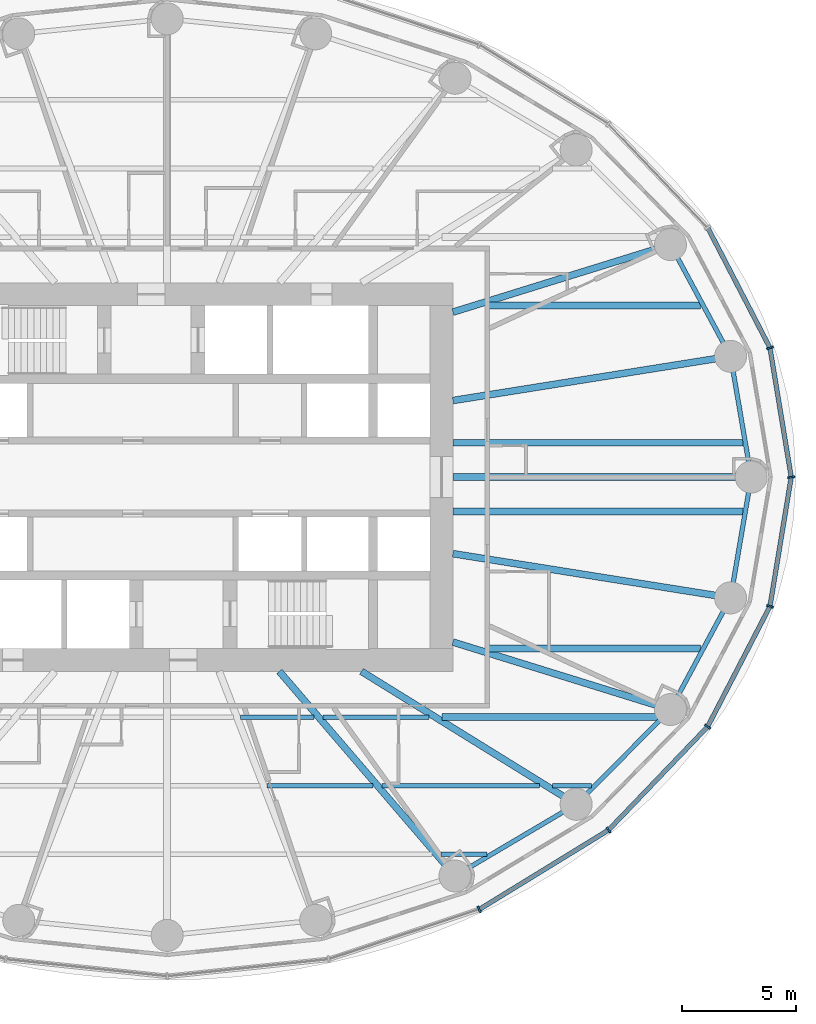
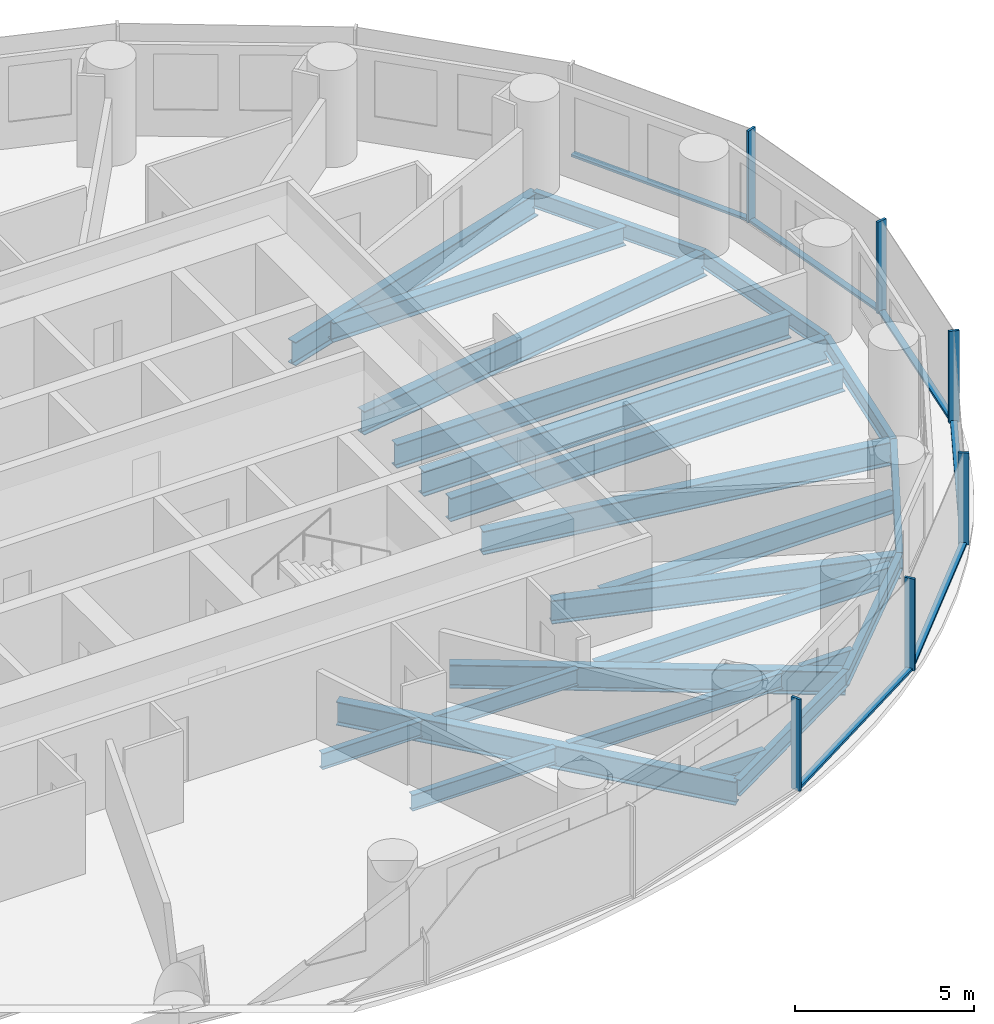
# One storey, part 3 of 13: 24 beams, 12 members, 2 elements without a shape of their own.
"""IFC4 building model written with IfcOpenShell, lengths in metres."""

from ifc_helpers import new_model, si_unit, direction, frame, origin, origin_2d, place, context, subcontext, project, spatial, rectangle, i_section, extrude, material, material_profile, profile_set, type_object, element, aggregate, save


model = new_model("IFC4")

# Units and contexts
model_context = context("Model", 3, precision=1e-05, world=origin(), true_north=direction((0.0, 1.0)))
body_context = subcontext(model_context, "Body", "Model", "MODEL_VIEW")
ifc_project = project(units=[si_unit("LENGTHUNIT", "METRE"), si_unit("AREAUNIT", "SQUARE_METRE"), si_unit("VOLUMEUNIT", "CUBIC_METRE"), si_unit("PLANEANGLEUNIT", "RADIAN"), si_unit("MASSUNIT", "GRAM", prefix="KILO")], contexts=[model_context])

# Site, building, storey
site_placement = place(None, origin())
site = spatial("IfcSite", under=ifc_project, at=site_placement, CompositionType="ELEMENT")
building_placement = place(site_placement, origin())
building = spatial("IfcBuilding", under=site, at=building_placement, Name="Hankou Lantern Tower", CompositionType="ELEMENT")
storey_placement = place(building_placement, frame((0.0, 0.0, 83.699951171875)))
storey = spatial("IfcBuildingStorey", under=building, at=storey_placement, Name="L21", CompositionType="ELEMENT", Elevation=83.699951171875)

# Beams
ifc_material_1 = material(Name="Steel Q355B", Category="steel")
ifc_material_profile_1 = material_profile(ifc_material_1, i_section(OverallWidth=0.199951171875, OverallDepth=0.550048828125, WebThickness=0.010009765625, FlangeThickness=0.01611328125, FilletRadius=0.012939453125, at=origin_2d()), Name="HN550x200x10x16")
ifc_profile_set_1 = profile_set([ifc_material_profile_1], Name="Steel Q355B")
beam_type_1 = type_object("IfcBeamType", Name="EB6 RING BEAM HN550x200x10x16", PredefinedType="SPANDREL", material=ifc_profile_set_1)
beam_1_placement = place(storey_placement, frame((25.550048828125, 0.0, -0.454833984375), z_axis=(-0.168489691988, 0.985703415685, 0.0), x_axis=(-0.985703415685, -0.168489691988, 0.0)))
element("IfcBeam", 1, at=beam_1_placement, inside=storey, type_object=beam_type_1, Name="Ring beam R01-R02 L21", PredefinedType="SPANDREL", context=body_context, shape_type="SweptSolid", body=[
    extrude(i_section(OverallWidth=0.199951171875, OverallDepth=0.550048828125, WebThickness=0.010009765625, FlangeThickness=0.01611328125, FilletRadius=0.012939453125, at=origin_2d()), origin(), (0.0, 0.0, 1.0), 5.35986328125),
])
beam_2_placement = place(storey_placement, frame((24.64697265625, 5.283203125, -0.454833984375), z_axis=(-0.473609096023, 0.880735161194, 0.0), x_axis=(-0.880735161194, -0.473609096023, 0.0)))
element("IfcBeam", 2, at=beam_2_placement, inside=storey, type_object=beam_type_1, Name="Ring beam R02-R03 L21", PredefinedType="SPANDREL", context=body_context, shape_type="SweptSolid", body=[
    extrude(i_section(OverallWidth=0.199951171875, OverallDepth=0.550048828125, WebThickness=0.010009765625, FlangeThickness=0.01611328125, FilletRadius=0.012939453125, at=origin_2d()), origin(), (0.0, 0.0, 1.0), 5.548828125),
])
beam_3_placement = place(storey_placement, frame((12.5908203125, -17.446533203125, -0.454833984375), z_axis=(0.860881533543, 0.508805449268, 0.0), x_axis=(-0.508805449268, 0.860881533543, 0.0)))
element("IfcBeam", 3, at=beam_3_placement, inside=storey, type_object=beam_type_1, Name="Ring beam R21-R22 L21", PredefinedType="SPANDREL", context=body_context, shape_type="SweptSolid", body=[
    extrude(i_section(OverallWidth=0.199951171875, OverallDepth=0.550048828125, WebThickness=0.010009765625, FlangeThickness=0.01611328125, FilletRadius=0.012939453125, at=origin_2d()), origin(), (0.0, 0.0, 1.0), 6.15771484375),
])
beam_4_placement = place(storey_placement, frame((17.891845703125, -14.3134765625, -0.454833984375), z_axis=(0.705727798394, 0.708483079949, 0.0), x_axis=(-0.708483079949, 0.705727798394, 0.0)))
element("IfcBeam", 4, at=beam_4_placement, inside=storey, type_object=beam_type_1, Name="Ring beam R22-R23 L21", PredefinedType="SPANDREL", context=body_context, shape_type="SweptSolid", body=[
    extrude(i_section(OverallWidth=0.199951171875, OverallDepth=0.550048828125, WebThickness=0.010009765625, FlangeThickness=0.01611328125, FilletRadius=0.012939453125, at=origin_2d()), origin(), (0.0, 0.0, 1.0), 5.84814453125),
])
beam_5_placement = place(storey_placement, frame((22.01904296875, -10.170166015625, -0.454833984375), z_axis=(0.473609096023, 0.880735161194, 0.0), x_axis=(-0.880735161194, 0.473609096023, 0.0)))
element("IfcBeam", 5, at=beam_5_placement, inside=storey, type_object=beam_type_1, Name="Ring beam R23-R24 L21", PredefinedType="SPANDREL", context=body_context, shape_type="SweptSolid", body=[
    extrude(i_section(OverallWidth=0.199951171875, OverallDepth=0.550048828125, WebThickness=0.010009765625, FlangeThickness=0.01611328125, FilletRadius=0.012939453125, at=origin_2d()), origin(), (0.0, 0.0, 1.0), 5.548828125),
])
beam_6_placement = place(storey_placement, frame((24.64697265625, -5.283203125, -0.454833984375), z_axis=(0.168489691988, 0.985703415685, 0.0), x_axis=(-0.985703415685, 0.168489691988, 0.0)))
element("IfcBeam", 6, at=beam_6_placement, inside=storey, type_object=beam_type_1, Name="Ring beam R24-R01 L21", PredefinedType="SPANDREL", context=body_context, shape_type="SweptSolid", body=[
    extrude(i_section(OverallWidth=0.199951171875, OverallDepth=0.550048828125, WebThickness=0.010009765625, FlangeThickness=0.01611328125, FilletRadius=0.012939453125, at=origin_2d()), origin(), (0.0, 0.0, 1.0), 5.35986328125),
])

# Curtain wall, members
ifc_material_2 = material(Name="Glass, dark grey tinted laminated", Category="glass")
curtain_wall_type = type_object("IfcCurtainWallType", Name="CWA OUTER SKIN LOW-RISE", PredefinedType="USERDEFINED", material=ifc_material_2)
curtain_wall_1_placement = place(storey_placement, origin())
curtain_wall_1 = element("IfcCurtainWall", 7, at=curtain_wall_1_placement, inside=storey, type_object=curtain_wall_type, Name="CWA L21 OS1", ObjectType="OUTER SKIN LOW-RISE", PredefinedType="USERDEFINED")
ifc_material_3 = material(Name="Aluminium, black anodised", Category="aluminium")
ifc_material_profile_2 = material_profile(ifc_material_3, rectangle(XDim=0.080078125, YDim=0.300048828125, at=origin_2d()), Name="MU1 80X300")
ifc_profile_set_2 = profile_set([ifc_material_profile_2], Name="Aluminium, black anodised")
member_type_1 = type_object("IfcMemberType", Name="MU1 OUTER SKIN MULLION 80X300", PredefinedType="MULLION", material=ifc_profile_set_2)
member_1_placement = place(storey_placement, frame((27.300048828125, 0.0, 0.0), z_axis=(0.0, 0.0, 1.0), x_axis=(-0.162381515188, 0.986728049427, 0.0)))
member_1 = element("IfcMember", 8, at=member_1_placement, type_object=member_type_1, Name="CWA mullion 1", PredefinedType="MULLION", context=body_context, shape_type="SweptSolid", body=[
    extrude(rectangle(XDim=0.080078125, YDim=0.300048828125, at=origin_2d()), origin(), (0.0, 0.0, 1.0), 3.1201171875),
])
member_2_placement = place(storey_placement, frame((26.369873046875, 5.652587890625, 0.0), z_axis=(0.0, 0.0, 1.0), x_axis=(-0.317595577365, 0.94822626479, 0.0)))
member_2 = element("IfcMember", 9, at=member_2_placement, type_object=member_type_1, Name="CWA mullion 2", PredefinedType="MULLION", context=body_context, shape_type="SweptSolid", body=[
    extrude(rectangle(XDim=0.080078125, YDim=0.300048828125, at=origin_2d()), origin(), (0.0, 0.0, 1.0), 3.1201171875),
])

curtain_wall_2_placement = place(storey_placement, origin())
curtain_wall_2 = element("IfcCurtainWall", 10, at=curtain_wall_2_placement, inside=storey, type_object=curtain_wall_type, Name="CWA L21 OS4", ObjectType="OUTER SKIN LOW-RISE", PredefinedType="USERDEFINED")
member_3_placement = place(storey_placement, frame((13.64990234375, -18.9140625, 0.0), z_axis=(0.0, 0.0, 1.0), x_axis=(0.907841299004, 0.419313934686, 0.0)))
member_3 = element("IfcMember", 11, at=member_3_placement, type_object=member_type_1, Name="CWA mullion 3", PredefinedType="MULLION", context=body_context, shape_type="SweptSolid", body=[
    extrude(rectangle(XDim=0.080078125, YDim=0.300048828125, at=origin_2d()), origin(), (0.0, 0.0, 1.0), 3.1201171875),
])
member_4_placement = place(storey_placement, frame((19.303955078125, -15.443115234375, 0.0), z_axis=(0.0, 0.0, 1.0), x_axis=(0.780868809444, 0.624695047553, 0.0)))
member_4 = element("IfcMember", 12, at=member_4_placement, type_object=member_type_1, Name="CWA mullion 4", PredefinedType="MULLION", context=body_context, shape_type="SweptSolid", body=[
    extrude(rectangle(XDim=0.080078125, YDim=0.300048828125, at=origin_2d()), origin(), (0.0, 0.0, 1.0), 3.1201171875),
])
member_5_placement = place(storey_placement, frame((23.642578125, -10.919921875, 0.0), z_axis=(0.0, 0.0, 1.0), x_axis=(0.585205735974, 0.810884854084, 0.0)))
member_5 = element("IfcMember", 13, at=member_5_placement, type_object=member_type_1, Name="CWA mullion 5", PredefinedType="MULLION", context=body_context, shape_type="SweptSolid", body=[
    extrude(rectangle(XDim=0.080078125, YDim=0.300048828125, at=origin_2d()), origin(), (0.0, 0.0, 1.0), 3.1201171875),
])
member_6_placement = place(storey_placement, frame((26.369873046875, -5.652587890625, 0.0), z_axis=(0.0, 0.0, 1.0), x_axis=(0.317595577365, 0.94822626479, 0.0)))
member_6 = element("IfcMember", 14, at=member_6_placement, type_object=member_type_1, Name="CWA mullion 6", PredefinedType="MULLION", context=body_context, shape_type="SweptSolid", body=[
    extrude(rectangle(XDim=0.080078125, YDim=0.300048828125, at=origin_2d()), origin(), (0.0, 0.0, 1.0), 3.1201171875),
])

# Beams
ifc_material_4 = material(Name="Steel Q355B", Category="steel")
ifc_material_profile_3 = material_profile(ifc_material_4, i_section(OverallWidth=0.300048828125, OverallDepth=0.800048828125, WebThickness=0.013916015625, FlangeThickness=0.02587890625, FilletRadius=0.01806640625, at=origin_2d()), Name="HN800x300x14x26")
ifc_profile_set_3 = profile_set([ifc_material_profile_3], Name="Steel Q355B")
beam_type_2 = type_object("IfcBeamType", Name="RB11 RADIAL BEAM HN800x300x14x26", PredefinedType="BEAM", material=ifc_profile_set_3)
beam_7_placement = place(storey_placement, frame((12.5, 3.349365234375, -0.579833984375), z_axis=(0.987563081343, 0.157223281893, 0.0), x_axis=(-0.157223281893, 0.987563081343, 0.0)))
element("IfcBeam", 15, at=beam_7_placement, inside=storey, type_object=beam_type_2, Name="Radial beam R02 L21", PredefinedType="BEAM", context=body_context, shape_type="SweptSolid", body=[
    extrude(i_section(OverallWidth=0.300048828125, OverallDepth=0.800048828125, WebThickness=0.013916015625, FlangeThickness=0.02587890625, FilletRadius=0.01806640625, at=origin_2d()), origin(), (0.0, 0.0, 1.0), 12.300048828125),
])
beam_8_placement = place(storey_placement, frame((12.5, 7.216796875, -0.579833984375), z_axis=(0.955087327755, 0.29632447817, 0.0), x_axis=(-0.29632447817, 0.955087327755, 0.0)))
element("IfcBeam", 16, at=beam_8_placement, inside=storey, type_object=beam_type_2, Name="Radial beam R03 L21", PredefinedType="BEAM", context=body_context, shape_type="SweptSolid", body=[
    extrude(i_section(OverallWidth=0.300048828125, OverallDepth=0.800048828125, WebThickness=0.013916015625, FlangeThickness=0.02587890625, FilletRadius=0.01806640625, at=origin_2d()), origin(), (0.0, 0.0, 1.0), 9.966552734375),
])
beam_9_placement = place(storey_placement, frame((4.907470703125, -8.5, -0.579833984375), z_axis=(0.651519061225, -0.758632264579, 0.0), x_axis=(0.758632264579, 0.651519061225, 0.0)))
element("IfcBeam", 17, at=beam_9_placement, inside=storey, type_object=beam_type_2, Name="Radial beam R21 L21", PredefinedType="BEAM", context=body_context, shape_type="SweptSolid", body=[
    extrude(i_section(OverallWidth=0.300048828125, OverallDepth=0.800048828125, WebThickness=0.013916015625, FlangeThickness=0.02587890625, FilletRadius=0.01806640625, at=origin_2d()), origin(), (0.0, 0.0, 1.0), 11.79296875),
])
beam_10_placement = place(storey_placement, frame((8.5, -8.5, -0.579833984375), z_axis=(0.850286343288, -0.526320372414, 0.0), x_axis=(0.526320372414, 0.850286343288, 0.0)))
element("IfcBeam", 18, at=beam_10_placement, inside=storey, type_object=beam_type_2, Name="Radial beam R22 L21", PredefinedType="BEAM", context=body_context, shape_type="SweptSolid", body=[
    extrude(i_section(OverallWidth=0.300048828125, OverallDepth=0.800048828125, WebThickness=0.013916015625, FlangeThickness=0.02587890625, FilletRadius=0.01806640625, at=origin_2d()), origin(), (0.0, 0.0, 1.0), 11.04541015625),
])
beam_11_placement = place(storey_placement, frame((12.5, -7.216796875, -0.579833984375), z_axis=(0.955087327755, -0.29632447817, 0.0), x_axis=(0.29632447817, 0.955087327755, 0.0)))
element("IfcBeam", 19, at=beam_11_placement, inside=storey, type_object=beam_type_2, Name="Radial beam R23 L21", PredefinedType="BEAM", context=body_context, shape_type="SweptSolid", body=[
    extrude(i_section(OverallWidth=0.300048828125, OverallDepth=0.800048828125, WebThickness=0.013916015625, FlangeThickness=0.02587890625, FilletRadius=0.01806640625, at=origin_2d()), origin(), (0.0, 0.0, 1.0), 9.966552734375),
])
beam_12_placement = place(storey_placement, frame((12.5, -3.349365234375, -0.579833984375), z_axis=(0.987563081343, -0.157223281893, 0.0), x_axis=(0.157223281893, 0.987563081343, 0.0)))
element("IfcBeam", 20, at=beam_12_placement, inside=storey, type_object=beam_type_2, Name="Radial beam R24 L21", PredefinedType="BEAM", context=body_context, shape_type="SweptSolid", body=[
    extrude(i_section(OverallWidth=0.300048828125, OverallDepth=0.800048828125, WebThickness=0.013916015625, FlangeThickness=0.02587890625, FilletRadius=0.01806640625, at=origin_2d()), origin(), (0.0, 0.0, 1.0), 12.300048828125),
])
ifc_material_5 = material(Name="Steel Q355B", Category="steel")
ifc_material_profile_4 = material_profile(ifc_material_5, i_section(OverallWidth=0.300048828125, OverallDepth=0.85009765625, WebThickness=0.01611328125, FlangeThickness=0.027099609375, FilletRadius=0.01806640625, at=origin_2d()), Name="HN850x300x16x27")
ifc_profile_set_4 = profile_set([ifc_material_profile_4], Name="Steel Q355B")
beam_type_3 = type_object("IfcBeamType", Name="RB12 RADIAL BEAM HN850x300x16x27", PredefinedType="BEAM", material=ifc_profile_set_4)
beam_13_placement = place(storey_placement, frame((12.5, 0.0, -0.60498046875), z_axis=(1.0, 0.0, 0.0), x_axis=(0.0, 1.0, 0.0)))
element("IfcBeam", 21, at=beam_13_placement, inside=storey, type_object=beam_type_3, Name="Radial beam R01 L21", PredefinedType="BEAM", context=body_context, shape_type="SweptSolid", body=[
    extrude(i_section(OverallWidth=0.300048828125, OverallDepth=0.85009765625, WebThickness=0.01611328125, FlangeThickness=0.027099609375, FilletRadius=0.01806640625, at=origin_2d()), origin(), (0.0, 0.0, 1.0), 13.050048828125),
])
ifc_material_6 = material(Name="Steel Q355B", Category="steel")
ifc_material_profile_5 = material_profile(ifc_material_6, i_section(OverallWidth=0.300048828125, OverallDepth=0.800048828125, WebThickness=0.013916015625, FlangeThickness=0.02587890625, FilletRadius=0.01806640625, at=origin_2d()), Name="HN800x300x14x26")
ifc_profile_set_5 = profile_set([ifc_material_profile_5], Name="Steel Q355B")
beam_type_4 = type_object("IfcBeamType", Name="SB11 SECONDARY BEAM HN800x300x14x26", PredefinedType="JOIST", material=ifc_profile_set_5)
for number, where, z_axis, x_axis, name in (
    (22, (12.5, -1.5, -0.579833984375), (1.0, 0.0, 0.0), (0.0, 1.0, 0.0), "Floor joist J030 L21"),
    (23, (12.5, 1.5, -0.579833984375), (1.0, 0.0, 0.0), (0.0, 1.0, 0.0), "Floor joist J032 L21"),
):
    element("IfcBeam", number, at=place(storey_placement, frame(where, z_axis=z_axis, x_axis=x_axis)), inside=storey, type_object=beam_type_4, Name=name, PredefinedType="JOIST", context=body_context, shape_type="SweptSolid", body=[
        extrude(i_section(OverallWidth=0.300048828125, OverallDepth=0.800048828125, WebThickness=0.013916015625, FlangeThickness=0.02587890625, FilletRadius=0.01806640625, at=origin_2d()), origin(), (0.0, 0.0, 1.0), 12.692138671875),
    ])
ifc_material_7 = material(Name="Steel Q355B", Category="steel")
ifc_material_profile_6 = material_profile(ifc_material_7, i_section(OverallWidth=0.199951171875, OverallDepth=0.550048828125, WebThickness=0.010009765625, FlangeThickness=0.01611328125, FilletRadius=0.012939453125, at=origin_2d()), Name="HN550x200x10x16")
ifc_profile_set_6 = profile_set([ifc_material_profile_6], Name="Steel Q355B")
beam_type_5 = type_object("IfcBeamType", Name="SB6 SECONDARY BEAM HN550x200x10x16", PredefinedType="JOIST", material=ifc_profile_set_6)
beam_14_placement = place(storey_placement, frame((11.975830078125, -16.5, -0.454833984375), z_axis=(1.0, 0.0, 0.0), x_axis=(0.0, 1.0, 0.0)))
element("IfcBeam", 24, at=beam_14_placement, inside=storey, type_object=beam_type_5, Name="Floor joist J006 L21", PredefinedType="JOIST", context=body_context, shape_type="SweptSolid", body=[
    extrude(i_section(OverallWidth=0.199951171875, OverallDepth=0.550048828125, WebThickness=0.010009765625, FlangeThickness=0.01611328125, FilletRadius=0.012939453125, at=origin_2d()), origin(), (0.0, 0.0, 1.0), 2.019775390625),
])
beam_15_placement = place(storey_placement, frame((4.37451171875, -13.5, -0.454833984375), z_axis=(1.0, 0.0, 0.0), x_axis=(0.0, 1.0, 0.0)))
element("IfcBeam", 25, at=beam_15_placement, inside=storey, type_object=beam_type_5, Name="Floor joist J012 L21", PredefinedType="JOIST", context=body_context, shape_type="SweptSolid", body=[
    extrude(i_section(OverallWidth=0.199951171875, OverallDepth=0.550048828125, WebThickness=0.010009765625, FlangeThickness=0.01611328125, FilletRadius=0.012939453125, at=origin_2d()), origin(), (0.0, 0.0, 1.0), 4.62939453125),
])
beam_16_placement = place(storey_placement, frame((9.3994140625, -13.5, -0.454833984375), z_axis=(1.0, 0.0, 0.0), x_axis=(0.0, 1.0, 0.0)))
element("IfcBeam", 26, at=beam_16_placement, inside=storey, type_object=beam_type_5, Name="Floor joist J013 L21", PredefinedType="JOIST", context=body_context, shape_type="SweptSolid", body=[
    extrude(i_section(OverallWidth=0.199951171875, OverallDepth=0.550048828125, WebThickness=0.010009765625, FlangeThickness=0.01611328125, FilletRadius=0.012939453125, at=origin_2d()), origin(), (0.0, 0.0, 1.0), 6.893310546875),
])
beam_17_placement = place(storey_placement, frame((16.86279296875, -13.5, -0.454833984375), z_axis=(1.0, 0.0, 0.0), x_axis=(0.0, 1.0, 0.0)))
element("IfcBeam", 27, at=beam_17_placement, inside=storey, type_object=beam_type_5, Name="Floor joist J014 L21", PredefinedType="JOIST", context=body_context, shape_type="SweptSolid", body=[
    extrude(i_section(OverallWidth=0.199951171875, OverallDepth=0.550048828125, WebThickness=0.010009765625, FlangeThickness=0.01611328125, FilletRadius=0.012939453125, at=origin_2d()), origin(), (0.0, 0.0, 1.0), 1.697998046875),
])
beam_18_placement = place(storey_placement, frame((3.212890625, -10.5, -0.454833984375), z_axis=(1.0, 0.0, 0.0), x_axis=(0.0, 1.0, 0.0)))
element("IfcBeam", 28, at=beam_18_placement, inside=storey, type_object=beam_type_5, Name="Floor joist J020 L21", PredefinedType="JOIST", context=body_context, shape_type="SweptSolid", body=[
    extrude(i_section(OverallWidth=0.199951171875, OverallDepth=0.550048828125, WebThickness=0.010009765625, FlangeThickness=0.01611328125, FilletRadius=0.012939453125, at=origin_2d()), origin(), (0.0, 0.0, 1.0), 3.214599609375),
])
beam_19_placement = place(storey_placement, frame((6.82275390625, -10.5, -0.454833984375), z_axis=(1.0, 0.0, 0.0), x_axis=(0.0, 1.0, 0.0)))
element("IfcBeam", 29, at=beam_19_placement, inside=storey, type_object=beam_type_5, Name="Floor joist J021 L21", PredefinedType="JOIST", context=body_context, shape_type="SweptSolid", body=[
    extrude(i_section(OverallWidth=0.199951171875, OverallDepth=0.550048828125, WebThickness=0.010009765625, FlangeThickness=0.01611328125, FilletRadius=0.012939453125, at=origin_2d()), origin(), (0.0, 0.0, 1.0), 4.623291015625),
])
ifc_material_8 = material(Name="Steel Q355B", Category="steel")
ifc_material_profile_7 = material_profile(ifc_material_8, i_section(OverallWidth=0.300048828125, OverallDepth=0.64990234375, WebThickness=0.010986328125, FlangeThickness=0.01708984375, FilletRadius=0.01806640625, at=origin_2d()), Name="HN650x300x11x17")
ifc_profile_set_7 = profile_set([ifc_material_profile_7], Name="Steel Q355B")
beam_type_6 = type_object("IfcBeamType", Name="SB8 SECONDARY BEAM HN650x300x11x17", PredefinedType="JOIST", material=ifc_profile_set_7)
beam_20_placement = place(storey_placement, frame((12.01611328125, -10.5, -0.5048828125), z_axis=(1.0, 0.0, 0.0), x_axis=(0.0, 1.0, 0.0)))
element("IfcBeam", 30, at=beam_20_placement, inside=storey, type_object=beam_type_6, Name="Floor joist J022 L21", PredefinedType="JOIST", context=body_context, shape_type="SweptSolid", body=[
    extrude(i_section(OverallWidth=0.300048828125, OverallDepth=0.64990234375, WebThickness=0.010986328125, FlangeThickness=0.01708984375, FilletRadius=0.01806640625, at=origin_2d()), origin(), (0.0, 0.0, 1.0), 9.533203125),
])
for number, where, z_axis, x_axis, name in (
    (31, (13.918701171875, -7.5, -0.5048828125), (1.0, 0.0, 0.0), (0.0, 1.0, 0.0), "Floor joist J024 L21"),
    (32, (13.918701171875, 7.5, -0.5048828125), (1.0, 0.0, 0.0), (0.0, 1.0, 0.0), "Floor joist J038 L21"),
):
    element("IfcBeam", number, at=place(storey_placement, frame(where, z_axis=z_axis, x_axis=x_axis)), inside=storey, type_object=beam_type_6, Name=name, PredefinedType="JOIST", context=body_context, shape_type="SweptSolid", body=[
        extrude(i_section(OverallWidth=0.300048828125, OverallDepth=0.64990234375, WebThickness=0.010986328125, FlangeThickness=0.01708984375, FilletRadius=0.01806640625, at=origin_2d()), origin(), (0.0, 0.0, 1.0), 9.4228515625),
    ])

# Member
ifc_material_9 = material(Name="Aluminium, black anodised", Category="aluminium")
ifc_material_profile_8 = material_profile(ifc_material_9, rectangle(XDim=0.199951171875, YDim=0.080078125, at=origin_2d()), Name="TR1 200X80")
ifc_profile_set_8 = profile_set([ifc_material_profile_8], Name="Aluminium, black anodised")
member_type_2 = type_object("IfcMemberType", Name="TR1 OUTER SKIN TRANSOM 200X80", PredefinedType="USERDEFINED", material=ifc_profile_set_8)
member_7_placement = place(storey_placement, frame((27.29345703125, 0.03955078125, 0.0400390625), z_axis=(-0.162387045529, 0.986727139307, 0.0), x_axis=(-0.986727139307, -0.162387045529, 0.0)))
member_7 = element("IfcMember", 33, at=member_7_placement, type_object=member_type_2, Name="CWA transom 1", ObjectType="TRANSOM", PredefinedType="USERDEFINED", context=body_context, shape_type="SweptSolid", body=[
    extrude(rectangle(XDim=0.199951171875, YDim=0.080078125, at=origin_2d()), origin(), (0.0, 0.0, 1.0), 5.6484375),
])

member_8_placement = place(storey_placement, frame((26.351318359375, 5.688232421875, 0.0400390625), z_axis=(-0.459786096495, 0.888029698529, 0.0), x_axis=(-0.888029698529, -0.459786096495, 0.0)))
member_8 = element("IfcMember", 34, at=member_8_placement, type_object=member_type_2, Name="CWA transom 2", ObjectType="TRANSOM", PredefinedType="USERDEFINED", context=body_context, shape_type="SweptSolid", body=[
    extrude(rectangle(XDim=0.199951171875, YDim=0.080078125, at=origin_2d()), origin(), (0.0, 0.0, 1.0), 5.8515625),
])

aggregate(curtain_wall_1, [member_1, member_2, member_7, member_8])

member_9_placement = place(storey_placement, frame((13.68408203125, -18.89306640625, 0.0400390625), z_axis=(0.85223969557, 0.523151508929, 0.0), x_axis=(-0.523151508929, 0.85223969557, 0.0)))
member_9 = element("IfcMember", 35, at=member_9_placement, type_object=member_type_2, Name="CWA transom 3", ObjectType="TRANSOM", PredefinedType="USERDEFINED", context=body_context, shape_type="SweptSolid", body=[
    extrude(rectangle(XDim=0.199951171875, YDim=0.080078125, at=origin_2d()), origin(), (0.0, 0.0, 1.0), 6.554443359375),
])

member_10_placement = place(storey_placement, frame((19.331787109375, -15.414306640625, 0.0400390625), z_axis=(0.692215537374, 0.721690827029, 0.0), x_axis=(-0.721690827029, 0.692215537374, 0.0)))
member_10 = element("IfcMember", 36, at=member_10_placement, type_object=member_type_2, Name="CWA transom 4", ObjectType="TRANSOM", PredefinedType="USERDEFINED", context=body_context, shape_type="SweptSolid", body=[
    extrude(rectangle(XDim=0.199951171875, YDim=0.080078125, at=origin_2d()), origin(), (0.0, 0.0, 1.0), 6.187255859375),
])

member_11_placement = place(storey_placement, frame((23.660888671875, -10.884521484375, 0.0400390625), z_axis=(0.459786096495, 0.888029698529, 0.0), x_axis=(-0.888029698529, 0.459786096495, 0.0)))
member_11 = element("IfcMember", 37, at=member_11_placement, type_object=member_type_2, Name="CWA transom 5", ObjectType="TRANSOM", PredefinedType="USERDEFINED", context=body_context, shape_type="SweptSolid", body=[
    extrude(rectangle(XDim=0.199951171875, YDim=0.080078125, at=origin_2d()), origin(), (0.0, 0.0, 1.0), 5.8515625),
])

member_12_placement = place(storey_placement, frame((26.376220703125, -5.613037109375, 0.0400390625), z_axis=(0.162387045529, 0.986727139307, 0.0), x_axis=(-0.986727139307, 0.162387045529, 0.0)))
member_12 = element("IfcMember", 38, at=member_12_placement, type_object=member_type_2, Name="CWA transom 6", ObjectType="TRANSOM", PredefinedType="USERDEFINED", context=body_context, shape_type="SweptSolid", body=[
    extrude(rectangle(XDim=0.199951171875, YDim=0.080078125, at=origin_2d()), origin(), (0.0, 0.0, 1.0), 5.6484375),
])

aggregate(curtain_wall_2, [member_3, member_4, member_5, member_6, member_9, member_10, member_11, member_12])

save(model, "model.ifc")
